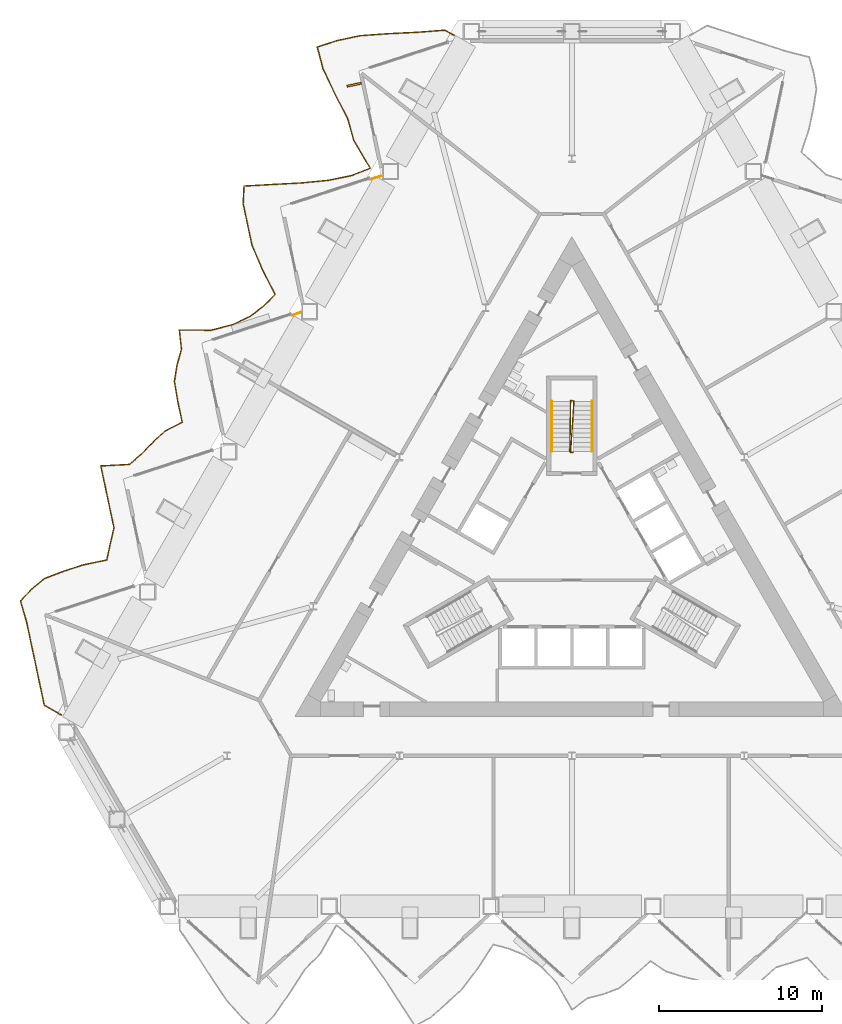
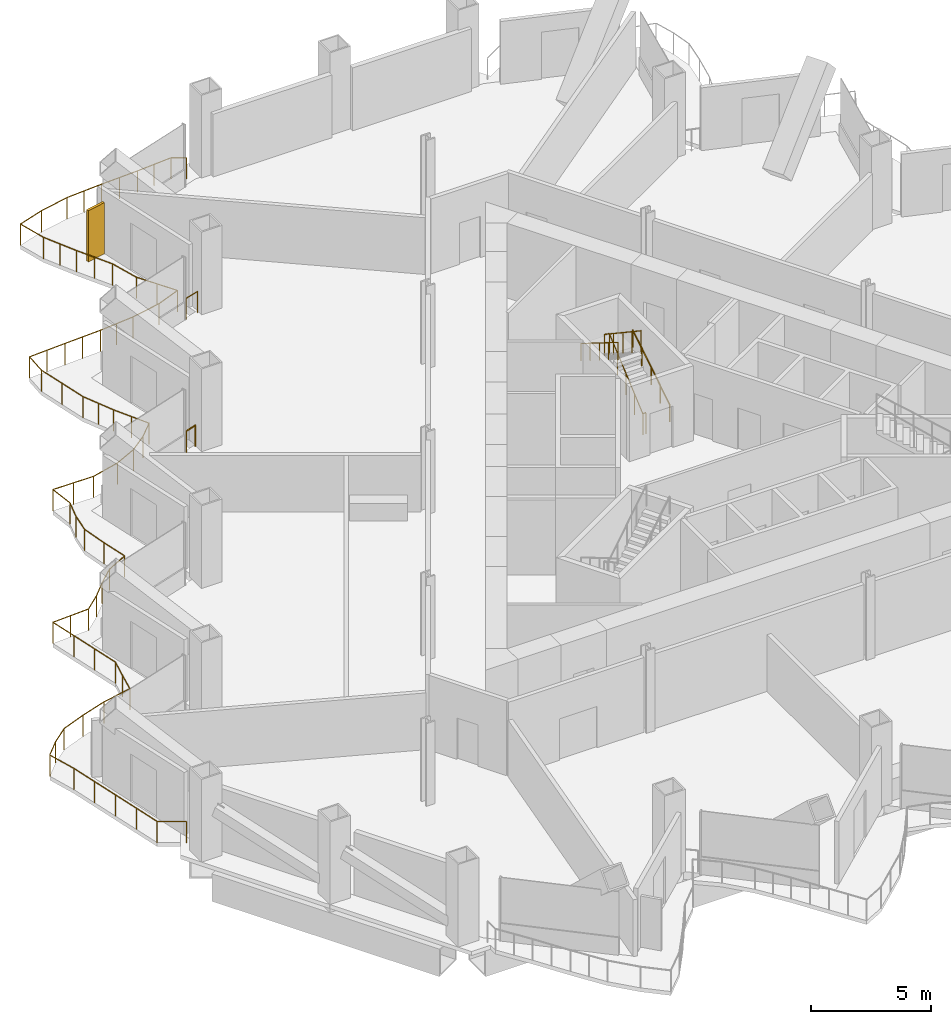
# One storey, part 19 of 22: 6 railings, 1 shading device.
"""IFC4 building model written with IfcOpenShell, lengths in metres."""

from ifc_helpers import new_model, si_unit, direction, frame, origin, origin_2d, place, context, subcontext, project, spatial, rectangle, circle, extrude, material, layer, layer_set, type_object, element, save


model = new_model("IFC4")

# Units and contexts
model_context = context("Model", 3, precision=1e-05, world=origin(), true_north=direction((0.0, 1.0)))
body_context = subcontext(model_context, "Body", "Model", "MODEL_VIEW")
ifc_project = project(units=[si_unit("LENGTHUNIT", "METRE"), si_unit("AREAUNIT", "SQUARE_METRE"), si_unit("VOLUMEUNIT", "CUBIC_METRE"), si_unit("PLANEANGLEUNIT", "RADIAN"), si_unit("MASSUNIT", "GRAM", prefix="KILO")], contexts=[model_context])

# Site, building, storey
site_placement = place(None, origin())
site = spatial("IfcSite", under=ifc_project, at=site_placement, CompositionType="ELEMENT")
building_placement = place(site_placement, origin())
building = spatial("IfcBuilding", under=site, at=building_placement, Name="Cormorant Prow Tower", CompositionType="ELEMENT")
storey_placement = place(building_placement, frame((0.0, 0.0, 30.0)))
storey = spatial("IfcBuildingStorey", under=building, at=storey_placement, Name="L05", CompositionType="ELEMENT", Elevation=30.0)

# Railings
ifc_material_1 = material(Name="Aluminium 6063-T6", Category="aluminium")
railing_type_1 = type_object("IfcRailingType", Name="Balcony guard 1100", PredefinedType="GUARDRAIL", material=ifc_material_1)
railing_1_placement = place(storey_placement, frame((-7.2412109375, 31.994873046875, 0.0)))
element("IfcRailing", 1, at=railing_1_placement, inside=storey, type_object=railing_type_1, Name="Balcony guard WNW", PredefinedType="GUARDRAIL", context=body_context, shape_type="SweptSolid", body=[
    extrude(circle(Radius=0.02392578125, at=origin_2d()), frame((0.0, 0.0, 1.076171875), z_axis=(-0.866038622153, 0.499977104415, 0.0), x_axis=(-0.499977104415, -0.866038622153, 0.0)), (0.0, 0.0, 1.0), 0.63623046875),
    extrude(circle(Radius=0.02392578125, at=origin_2d()), frame((-0.551025390625, 0.318115234375, 1.076171875), z_axis=(-0.997137955854, -0.075603551476, 0.0), x_axis=(0.075603551476, -0.997137955854, 0.0)), (0.0, 0.0, 1.0), 1.708251953125),
    extrude(circle(Radius=0.02392578125, at=origin_2d()), frame((-2.25439453125, 0.18896484375, 1.076171875), z_axis=(-0.998834064153, -0.048275379731, 0.0), x_axis=(0.048275379731, -0.998834064153, 0.0)), (0.0, 0.0, 1.0), 1.7802734375),
    extrude(circle(Radius=0.02392578125, at=origin_2d()), frame((-4.032470703125, 0.10302734375, 1.076171875), z_axis=(-0.997455815627, -0.071287417347, 0.0), x_axis=(0.071287417347, -0.997455815627, 0.0)), (0.0, 0.0, 1.0), 1.71923828125),
    extrude(circle(Radius=0.02392578125, at=origin_2d()), frame((-5.747314453125, -0.01953125, 1.076171875), z_axis=(-0.978400434543, -0.206718624429, 0.0), x_axis=(0.206718624429, -0.978400434543, 0.0)), (0.0, 0.0, 1.0), 1.442138671875),
    extrude(circle(Radius=0.02392578125, at=origin_2d()), frame((-7.158203125, -0.317626953125, 1.076171875), z_axis=(-0.951047907473, -0.309043488349, 0.0), x_axis=(0.309043488349, -0.951047907473, 0.0)), (0.0, 0.0, 1.0), 1.29638671875),
    extrude(circle(Radius=0.02392578125, at=origin_2d()), frame((-8.39111328125, -0.71826171875, 1.076171875), z_axis=(0.257159990866, -0.96636884216, 0.0), x_axis=(0.96636884216, 0.257159990866, 0.0)), (0.0, 0.0, 1.0), 1.3603515625),
    extrude(circle(Radius=0.02392578125, at=origin_2d()), frame((-8.041259765625, -2.032958984375, 1.076171875), z_axis=(0.424155213387, -0.905589506872, 0.0), x_axis=(0.905589506872, 0.424155213387, 0.0)), (0.0, 0.0, 1.0), 1.68359375),
    extrude(circle(Radius=0.02392578125, at=origin_2d()), frame((-7.3271484375, -3.5576171875, 1.076171875), z_axis=(0.456693053697, -0.889624333472, 0.0), x_axis=(0.889624333472, 0.456693053697, 0.0)), (0.0, 0.0, 1.0), 1.777587890625),
    extrude(circle(Radius=0.02392578125, at=origin_2d()), frame((-6.515380859375, -5.138916015625, 1.076171875), z_axis=(0.269616784072, -0.962967699223, 0.0), x_axis=(0.962967699223, 0.269616784072, 0.0)), (0.0, 0.0, 1.0), 1.378173828125),
    extrude(circle(Radius=0.02392578125, at=origin_2d()), frame((-6.143798828125, -6.466064453125, 1.076171875), z_axis=(0.510329465167, -0.859978974733, 0.0), x_axis=(0.859978974733, 0.510329465167, 0.0)), (0.0, 0.0, 1.0), 1.967529296875),
    extrude(circle(Radius=0.02392578125, at=origin_2d()), frame((-5.1396484375, -8.158203125, 1.076171875), z_axis=(-0.931726142955, -0.363161664462, 0.0), x_axis=(0.363161664462, -0.931726142955, 0.0)), (0.0, 0.0, 1.0), 1.23486328125),
    extrude(circle(Radius=0.02392578125, at=origin_2d()), frame((-6.290283203125, -8.606689453125, 1.076171875), z_axis=(-0.979843674417, -0.199765797133, 0.0), x_axis=(0.199765797133, -0.979843674417, 0.0)), (0.0, 0.0, 1.0), 1.453125),
    extrude(circle(Radius=0.02392578125, at=origin_2d()), frame((-7.714111328125, -8.89697265625, 1.076171875), z_axis=(-0.99527220185, -0.09712488983, 0.0), x_axis=(0.09712488983, -0.99527220185, 0.0)), (0.0, 0.0, 1.0), 1.656494140625),
    extrude(circle(Radius=0.02392578125, at=origin_2d()), frame((-9.36279296875, -9.057861328125, 1.076171875), z_axis=(-0.998654538049, -0.051856664315, 0.0), x_axis=(0.051856664315, -0.998654538049, 0.0)), (0.0, 0.0, 1.0), 1.770263671875),
    extrude(circle(Radius=0.02392578125, at=origin_2d()), frame((-11.130615234375, -9.149658203125, 1.076171875), z_axis=(-0.998331468628, -0.057743213865, 0.0), x_axis=(0.057743213865, -0.998331468628, 0.0)), (0.0, 0.0, 1.0), 1.754638671875),
    extrude(circle(Radius=0.02392578125, at=origin_2d()), frame((-12.88232421875, -9.2509765625, 1.076171875), z_axis=(-0.05261809748, -0.998614708392, 0.0), x_axis=(0.998614708392, -0.05261809748, 0.0)), (0.0, 0.0, 1.0), 1.0810546875),
    extrude(circle(Radius=0.02392578125, at=origin_2d()), frame((-12.939208984375, -10.33056640625, 1.076171875), z_axis=(0.20787001537, -0.978156458196, 0.0), x_axis=(0.978156458196, 0.20787001537, 0.0)), (0.0, 0.0, 1.0), 1.296630859375),
    extrude(circle(Radius=0.02392578125, at=origin_2d()), frame((-12.669677734375, -11.598876953125, 1.076171875), z_axis=(0.208050156932, -0.978118158609, 0.0), x_axis=(0.978118158609, 0.208050156932, 0.0)), (0.0, 0.0, 1.0), 1.296630859375),
    extrude(circle(Radius=0.02392578125, at=origin_2d()), frame((-12.39990234375, -12.8671875, 1.076171875), z_axis=(0.390714330931, -0.920511983412, 0.0), x_axis=(0.920511983412, 0.390714330931, 0.0)), (0.0, 0.0, 1.0), 1.600830078125),
    extrude(circle(Radius=0.02392578125, at=origin_2d()), frame((-11.7744140625, -14.3408203125, 1.076171875), z_axis=(0.450817608556, -0.892616089826, 0.0), x_axis=(0.892616089826, 0.450817608556, 0.0)), (0.0, 0.0, 1.0), 1.759521484375),
    extrude(circle(Radius=0.02392578125, at=origin_2d()), frame((-10.981201171875, -15.911376953125, 1.076171875), z_axis=(-0.704283053068, -0.709919277919, 0.0), x_axis=(0.709919277919, -0.704283053068, 0.0)), (0.0, 0.0, 1.0), 0.996337890625),
    extrude(circle(Radius=0.02392578125, at=origin_2d()), frame((-11.682861328125, -16.61865234375, 1.076171875), z_axis=(-0.794437483029, -0.607345935657, 0.0), x_axis=(0.607345935657, -0.794437483029, 0.0)), (0.0, 0.0, 1.0), 1.0439453125),
    extrude(circle(Radius=0.02392578125, at=origin_2d()), frame((-12.51220703125, -17.252685546875, 1.076171875), z_axis=(-0.903848140406, -0.427853408405, 0.0), x_axis=(0.427853408405, -0.903848140406, 0.0)), (0.0, 0.0, 1.0), 1.17138671875),
    extrude(circle(Radius=0.02392578125, at=origin_2d()), frame((-13.571044921875, -17.75390625, 1.076171875), z_axis=(-0.968439118805, -0.249250222004, 0.0), x_axis=(0.249250222004, -0.968439118805, 0.0)), (0.0, 0.0, 1.0), 1.376220703125),
    extrude(circle(Radius=0.02392578125, at=origin_2d()), frame((-14.90380859375, -18.096923828125, 1.076171875), z_axis=(-0.999969977608, 0.007748798727, 0.0), x_axis=(-0.007748798727, -0.999969977608, 0.0)), (0.0, 0.0, 1.0), 1.953369140625),
    extrude(circle(Radius=0.02392578125, at=origin_2d()), frame((-16.857177734375, -18.081787109375, 1.076171875), z_axis=(0.110991342038, -0.993821373282, 0.0), x_axis=(0.993821373282, 0.110991342038, 0.0)), (0.0, 0.0, 1.0), 1.196533203125),
    extrude(circle(Radius=0.02392578125, at=origin_2d()), frame((-16.724365234375, -19.27099609375, 1.076171875), z_axis=(-0.271897669737, -0.962326169857, 0.0), x_axis=(0.962326169857, -0.271897669737, 0.0)), (0.0, 0.0, 1.0), 0.993896484375),
    extrude(circle(Radius=0.02392578125, at=origin_2d()), frame((-16.99462890625, -20.2275390625, 1.076171875), z_axis=(-0.159671868834, -0.987170144556, 0.0), x_axis=(0.987170144556, -0.159671868834, 0.0)), (0.0, 0.0, 1.0), 1.030517578125),
    extrude(circle(Radius=0.02392578125, at=origin_2d()), frame((-17.1591796875, -21.244873046875, 1.076171875), z_axis=(0.168601333193, -0.985684325961, 0.0), x_axis=(0.985684325961, 0.168601333193, 0.0)), (0.0, 0.0, 1.0), 1.25244140625),
    extrude(circle(Radius=0.02392578125, at=origin_2d()), frame((-16.947998046875, -22.4794921875, 1.076171875), z_axis=(0.207908306761, -0.978148320031, 0.0), x_axis=(0.978148320031, 0.207908306761, 0.0)), (0.0, 0.0, 1.0), 1.29638671875),
    extrude(circle(Radius=0.02392578125, at=origin_2d()), frame((-16.678466796875, -23.74755859375, 1.076171875), z_axis=(-0.893067381261, -0.449922940654, 0.0), x_axis=(0.449922940654, -0.893067381261, 0.0)), (0.0, 0.0, 1.0), 1.152587890625),
    extrude(circle(Radius=0.02392578125, at=origin_2d()), frame((-17.707763671875, -24.26611328125, 1.076171875), z_axis=(-0.736220074978, -0.676742196999, 0.0), x_axis=(0.676742196999, -0.736220074978, 0.0)), (0.0, 0.0, 1.0), 1.009765625),
    extrude(circle(Radius=0.02392578125, at=origin_2d()), frame((-18.451171875, -24.949462890625, 1.076171875), z_axis=(-0.693698411975, -0.7202655852, 0.0), x_axis=(0.7202655852, -0.693698411975, 0.0)), (0.0, 0.0, 1.0), 0.992431640625),
    extrude(circle(Radius=0.02392578125, at=origin_2d()), frame((-19.1396484375, -25.664306640625, 1.076171875), z_axis=(-0.756683088923, -0.653781846596, 0.0), x_axis=(0.653781846596, -0.756683088923, 0.0)), (0.0, 0.0, 1.0), 1.020263671875),
    extrude(circle(Radius=0.02392578125, at=origin_2d()), frame((-19.91162109375, -26.331298828125, 1.076171875), z_axis=(-0.998559943322, -0.053647363335, 0.0), x_axis=(0.053647363335, -0.998559943322, 0.0)), (0.0, 0.0, 1.0), 1.765625),
    extrude(circle(Radius=0.02392578125, at=origin_2d()), frame((-21.6748046875, -26.426025390625, 1.076171875), z_axis=(0.208088478504, -0.978110006653, 0.0), x_axis=(0.978110006653, 0.208088478504, 0.0)), (0.0, 0.0, 1.0), 1.29638671875),
    extrude(circle(Radius=0.02392578125, at=origin_2d()), frame((-21.405029296875, -27.694091796875, 1.076171875), z_axis=(0.20787001537, -0.978156458196, 0.0), x_axis=(0.978156458196, 0.20787001537, 0.0)), (0.0, 0.0, 1.0), 1.296630859375),
    extrude(circle(Radius=0.02392578125, at=origin_2d()), frame((-21.135498046875, -28.96240234375, 1.076171875), z_axis=(0.207908306761, -0.978148320031, 0.0), x_axis=(0.978148320031, 0.207908306761, 0.0)), (0.0, 0.0, 1.0), 1.29638671875),
    extrude(circle(Radius=0.02392578125, at=origin_2d()), frame((-20.865966796875, -30.23046875, 1.076171875), z_axis=(-0.22693069724, -0.97391090899, 0.0), x_axis=(0.97391090899, -0.22693069724, 0.0)), (0.0, 0.0, 1.0), 1.007080078125),
    extrude(circle(Radius=0.02392578125, at=origin_2d()), frame((-21.094482421875, -31.211181640625, 1.076171875), z_axis=(-0.212379546317, -0.977187253451, 0.0), x_axis=(0.977187253451, -0.212379546317, 0.0)), (0.0, 0.0, 1.0), 1.01171875),
    extrude(circle(Radius=0.02392578125, at=origin_2d()), frame((-21.309326171875, -32.19970703125, 1.076171875), z_axis=(-0.979363993578, -0.202104349492, 0.0), x_axis=(0.202104349492, -0.979363993578, 0.0)), (0.0, 0.0, 1.0), 1.44970703125),
    extrude(circle(Radius=0.02392578125, at=origin_2d()), frame((-22.72900390625, -32.49267578125, 1.076171875), z_axis=(-0.951065889289, -0.308988145778, 0.0), x_axis=(0.308988145778, -0.951065889289, 0.0)), (0.0, 0.0, 1.0), 1.296630859375),
    extrude(circle(Radius=0.02392578125, at=origin_2d()), frame((-23.962158203125, -32.893310546875, 1.076171875), z_axis=(-0.934335057873, -0.356395846818, 0.0), x_axis=(0.356395846818, -0.934335057873, 0.0)), (0.0, 0.0, 1.0), 1.241943359375),
    extrude(circle(Radius=0.02392578125, at=origin_2d()), frame((-25.12255859375, -33.3359375, 1.076171875), z_axis=(-0.770474769236, -0.637470493412, 0.0), x_axis=(0.637470493412, -0.770474769236, 0.0)), (0.0, 0.0, 1.0), 1.02783203125),
    extrude(circle(Radius=0.02392578125, at=origin_2d()), frame((-25.91455078125, -33.9912109375, 1.076171875), z_axis=(-0.696211079774, -0.71783712108, 0.0), x_axis=(0.71783712108, -0.696211079774, 0.0)), (0.0, 0.0, 1.0), 0.993408203125),
    extrude(circle(Radius=0.02392578125, at=origin_2d()), frame((-26.606201171875, -34.704345703125, 1.076171875), z_axis=(0.276323671022, -0.961064633015, 0.0), x_axis=(0.961064633015, 0.276323671022, 0.0)), (0.0, 0.0, 1.0), 1.387939453125),
    extrude(circle(Radius=0.02392578125, at=origin_2d()), frame((-26.22265625, -36.038330078125, 1.076171875), z_axis=(0.20787001537, -0.978156458196, 0.0), x_axis=(0.978156458196, 0.20787001537, 0.0)), (0.0, 0.0, 1.0), 1.296630859375),
    extrude(circle(Radius=0.02392578125, at=origin_2d()), frame((-25.953125, -37.306640625, 1.076171875), z_axis=(0.207908306761, -0.978148320031, 0.0), x_axis=(0.978148320031, 0.207908306761, 0.0)), (0.0, 0.0, 1.0), 1.29638671875),
    extrude(circle(Radius=0.02392578125, at=origin_2d()), frame((-25.68359375, -38.57470703125, 1.076171875), z_axis=(0.20787001537, -0.978156458196, 0.0), x_axis=(0.978156458196, 0.20787001537, 0.0)), (0.0, 0.0, 1.0), 1.296630859375),
    extrude(circle(Radius=0.02392578125, at=origin_2d()), frame((-25.4140625, -39.843017578125, 1.076171875), z_axis=(0.208088478504, -0.978110006653, 0.0), x_axis=(0.978110006653, 0.208088478504, 0.0)), (0.0, 0.0, 1.0), 1.29638671875),
    extrude(circle(Radius=0.02392578125, at=origin_2d()), frame((-25.144287109375, -41.111083984375, 1.076171875), z_axis=(0.865955602162, -0.500120880472, 0.0), x_axis=(0.500120880472, 0.865955602162, 0.0)), (0.0, 0.0, 1.0), 1.219970703125),
    extrude(circle(Radius=0.02099609375, at=origin_2d()), origin(), (0.0, 0.0, 1.0), 1.052001953125),
    extrude(circle(Radius=0.02099609375, at=origin_2d()), frame((-0.551025390625, 0.318115234375, 0.0)), (0.0, 0.0, 1.0), 1.052001953125),
    extrude(circle(Radius=0.02099609375, at=origin_2d()), frame((-1.40283203125, 0.25341796875, 0.0)), (0.0, 0.0, 1.0), 1.052001953125),
    extrude(circle(Radius=0.02099609375, at=origin_2d()), frame((-2.25439453125, 0.18896484375, 0.0)), (0.0, 0.0, 1.0), 1.052001953125),
    extrude(circle(Radius=0.02099609375, at=origin_2d()), frame((-3.1435546875, 0.14599609375, 0.0)), (0.0, 0.0, 1.0), 1.052001953125),
    extrude(circle(Radius=0.02099609375, at=origin_2d()), frame((-4.032470703125, 0.10302734375, 0.0)), (0.0, 0.0, 1.0), 1.052001953125),
    extrude(circle(Radius=0.02099609375, at=origin_2d()), frame((-4.889892578125, 0.041748046875, 0.0)), (0.0, 0.0, 1.0), 1.052001953125),
    extrude(circle(Radius=0.02099609375, at=origin_2d()), frame((-5.747314453125, -0.01953125, 0.0)), (0.0, 0.0, 1.0), 1.052001953125),
    extrude(circle(Radius=0.02099609375, at=origin_2d()), frame((-7.158203125, -0.317626953125, 0.0)), (0.0, 0.0, 1.0), 1.052001953125),
    extrude(circle(Radius=0.02099609375, at=origin_2d()), frame((-8.39111328125, -0.71826171875, 0.0)), (0.0, 0.0, 1.0), 1.052001953125),
    extrude(circle(Radius=0.02099609375, at=origin_2d()), frame((-8.041259765625, -2.032958984375, 0.0)), (0.0, 0.0, 1.0), 1.052001953125),
    extrude(circle(Radius=0.02099609375, at=origin_2d()), frame((-7.68408203125, -2.79541015625, 0.0)), (0.0, 0.0, 1.0), 1.052001953125),
    extrude(circle(Radius=0.02099609375, at=origin_2d()), frame((-7.3271484375, -3.5576171875, 0.0)), (0.0, 0.0, 1.0), 1.052001953125),
    extrude(circle(Radius=0.02099609375, at=origin_2d()), frame((-6.92138671875, -4.34814453125, 0.0)), (0.0, 0.0, 1.0), 1.052001953125),
    extrude(circle(Radius=0.02099609375, at=origin_2d()), frame((-6.515380859375, -5.138916015625, 0.0)), (0.0, 0.0, 1.0), 1.052001953125),
    extrude(circle(Radius=0.02099609375, at=origin_2d()), frame((-6.143798828125, -6.466064453125, 0.0)), (0.0, 0.0, 1.0), 1.052001953125),
    extrude(circle(Radius=0.02099609375, at=origin_2d()), frame((-5.6416015625, -7.31201171875, 0.0)), (0.0, 0.0, 1.0), 1.052001953125),
    extrude(circle(Radius=0.02099609375, at=origin_2d()), frame((-5.1396484375, -8.158203125, 0.0)), (0.0, 0.0, 1.0), 1.052001953125),
    extrude(circle(Radius=0.02099609375, at=origin_2d()), frame((-6.290283203125, -8.606689453125, 0.0)), (0.0, 0.0, 1.0), 1.052001953125),
    extrude(circle(Radius=0.02099609375, at=origin_2d()), frame((-7.714111328125, -8.89697265625, 0.0)), (0.0, 0.0, 1.0), 1.052001953125),
    extrude(circle(Radius=0.02099609375, at=origin_2d()), frame((-8.53857421875, -8.9775390625, 0.0)), (0.0, 0.0, 1.0), 1.052001953125),
    extrude(circle(Radius=0.02099609375, at=origin_2d()), frame((-9.36279296875, -9.057861328125, 0.0)), (0.0, 0.0, 1.0), 1.052001953125),
    extrude(circle(Radius=0.02099609375, at=origin_2d()), frame((-10.24658203125, -9.103759765625, 0.0)), (0.0, 0.0, 1.0), 1.052001953125),
    extrude(circle(Radius=0.02099609375, at=origin_2d()), frame((-11.130615234375, -9.149658203125, 0.0)), (0.0, 0.0, 1.0), 1.052001953125),
    extrude(circle(Radius=0.02099609375, at=origin_2d()), frame((-12.00634765625, -9.2001953125, 0.0)), (0.0, 0.0, 1.0), 1.052001953125),
    extrude(circle(Radius=0.02099609375, at=origin_2d()), frame((-12.88232421875, -9.2509765625, 0.0)), (0.0, 0.0, 1.0), 1.052001953125),
    extrude(circle(Radius=0.02099609375, at=origin_2d()), frame((-12.939208984375, -10.33056640625, 0.0)), (0.0, 0.0, 1.0), 1.052001953125),
    extrude(circle(Radius=0.02099609375, at=origin_2d()), frame((-12.669677734375, -11.598876953125, 0.0)), (0.0, 0.0, 1.0), 1.052001953125),
    extrude(circle(Radius=0.02099609375, at=origin_2d()), frame((-12.39990234375, -12.8671875, 0.0)), (0.0, 0.0, 1.0), 1.052001953125),
    extrude(circle(Radius=0.02099609375, at=origin_2d()), frame((-12.087158203125, -13.60400390625, 0.0)), (0.0, 0.0, 1.0), 1.052001953125),
    extrude(circle(Radius=0.02099609375, at=origin_2d()), frame((-11.7744140625, -14.3408203125, 0.0)), (0.0, 0.0, 1.0), 1.052001953125),
    extrude(circle(Radius=0.02099609375, at=origin_2d()), frame((-11.3779296875, -15.1259765625, 0.0)), (0.0, 0.0, 1.0), 1.052001953125),
    extrude(circle(Radius=0.02099609375, at=origin_2d()), frame((-10.981201171875, -15.911376953125, 0.0)), (0.0, 0.0, 1.0), 1.052001953125),
    extrude(circle(Radius=0.02099609375, at=origin_2d()), frame((-11.682861328125, -16.61865234375, 0.0)), (0.0, 0.0, 1.0), 1.052001953125),
    extrude(circle(Radius=0.02099609375, at=origin_2d()), frame((-12.51220703125, -17.252685546875, 0.0)), (0.0, 0.0, 1.0), 1.052001953125),
    extrude(circle(Radius=0.02099609375, at=origin_2d()), frame((-13.571044921875, -17.75390625, 0.0)), (0.0, 0.0, 1.0), 1.052001953125),
    extrude(circle(Radius=0.02099609375, at=origin_2d()), frame((-14.90380859375, -18.096923828125, 0.0)), (0.0, 0.0, 1.0), 1.052001953125),
    extrude(circle(Radius=0.02099609375, at=origin_2d()), frame((-15.88037109375, -18.08935546875, 0.0)), (0.0, 0.0, 1.0), 1.052001953125),
    extrude(circle(Radius=0.02099609375, at=origin_2d()), frame((-16.857177734375, -18.081787109375, 0.0)), (0.0, 0.0, 1.0), 1.052001953125),
    extrude(circle(Radius=0.02099609375, at=origin_2d()), frame((-16.724365234375, -19.27099609375, 0.0)), (0.0, 0.0, 1.0), 1.052001953125),
    extrude(circle(Radius=0.02099609375, at=origin_2d()), frame((-16.99462890625, -20.2275390625, 0.0)), (0.0, 0.0, 1.0), 1.052001953125),
    extrude(circle(Radius=0.02099609375, at=origin_2d()), frame((-17.1591796875, -21.244873046875, 0.0)), (0.0, 0.0, 1.0), 1.052001953125),
    extrude(circle(Radius=0.02099609375, at=origin_2d()), frame((-16.947998046875, -22.4794921875, 0.0)), (0.0, 0.0, 1.0), 1.052001953125),
    extrude(circle(Radius=0.02099609375, at=origin_2d()), frame((-16.678466796875, -23.74755859375, 0.0)), (0.0, 0.0, 1.0), 1.052001953125),
    extrude(circle(Radius=0.02099609375, at=origin_2d()), frame((-17.707763671875, -24.26611328125, 0.0)), (0.0, 0.0, 1.0), 1.052001953125),
    extrude(circle(Radius=0.02099609375, at=origin_2d()), frame((-18.451171875, -24.949462890625, 0.0)), (0.0, 0.0, 1.0), 1.052001953125),
    extrude(circle(Radius=0.02099609375, at=origin_2d()), frame((-19.1396484375, -25.664306640625, 0.0)), (0.0, 0.0, 1.0), 1.052001953125),
    extrude(circle(Radius=0.02099609375, at=origin_2d()), frame((-19.91162109375, -26.331298828125, 0.0)), (0.0, 0.0, 1.0), 1.052001953125),
    extrude(circle(Radius=0.02099609375, at=origin_2d()), frame((-20.793212890625, -26.378662109375, 0.0)), (0.0, 0.0, 1.0), 1.052001953125),
    extrude(circle(Radius=0.02099609375, at=origin_2d()), frame((-21.6748046875, -26.426025390625, 0.0)), (0.0, 0.0, 1.0), 1.052001953125),
    extrude(circle(Radius=0.02099609375, at=origin_2d()), frame((-21.405029296875, -27.694091796875, 0.0)), (0.0, 0.0, 1.0), 1.052001953125),
    extrude(circle(Radius=0.02099609375, at=origin_2d()), frame((-21.135498046875, -28.96240234375, 0.0)), (0.0, 0.0, 1.0), 1.052001953125),
    extrude(circle(Radius=0.02099609375, at=origin_2d()), frame((-20.865966796875, -30.23046875, 0.0)), (0.0, 0.0, 1.0), 1.052001953125),
    extrude(circle(Radius=0.02099609375, at=origin_2d()), frame((-21.094482421875, -31.211181640625, 0.0)), (0.0, 0.0, 1.0), 1.052001953125),
    extrude(circle(Radius=0.02099609375, at=origin_2d()), frame((-21.309326171875, -32.19970703125, 0.0)), (0.0, 0.0, 1.0), 1.052001953125),
    extrude(circle(Radius=0.02099609375, at=origin_2d()), frame((-22.72900390625, -32.49267578125, 0.0)), (0.0, 0.0, 1.0), 1.052001953125),
    extrude(circle(Radius=0.02099609375, at=origin_2d()), frame((-23.962158203125, -32.893310546875, 0.0)), (0.0, 0.0, 1.0), 1.052001953125),
    extrude(circle(Radius=0.02099609375, at=origin_2d()), frame((-25.12255859375, -33.3359375, 0.0)), (0.0, 0.0, 1.0), 1.052001953125),
    extrude(circle(Radius=0.02099609375, at=origin_2d()), frame((-25.91455078125, -33.9912109375, 0.0)), (0.0, 0.0, 1.0), 1.052001953125),
    extrude(circle(Radius=0.02099609375, at=origin_2d()), frame((-26.606201171875, -34.704345703125, 0.0)), (0.0, 0.0, 1.0), 1.052001953125),
    extrude(circle(Radius=0.02099609375, at=origin_2d()), frame((-26.22265625, -36.038330078125, 0.0)), (0.0, 0.0, 1.0), 1.052001953125),
    extrude(circle(Radius=0.02099609375, at=origin_2d()), frame((-25.953125, -37.306640625, 0.0)), (0.0, 0.0, 1.0), 1.052001953125),
    extrude(circle(Radius=0.02099609375, at=origin_2d()), frame((-25.68359375, -38.57470703125, 0.0)), (0.0, 0.0, 1.0), 1.052001953125),
    extrude(circle(Radius=0.02099609375, at=origin_2d()), frame((-25.4140625, -39.843017578125, 0.0)), (0.0, 0.0, 1.0), 1.052001953125),
    extrude(circle(Radius=0.02099609375, at=origin_2d()), frame((-25.144287109375, -41.111083984375, 0.0)), (0.0, 0.0, 1.0), 1.052001953125),
    extrude(circle(Radius=0.02099609375, at=origin_2d()), frame((-24.087890625, -41.72119140625, 0.0)), (0.0, 0.0, 1.0), 1.052001953125),
])
ifc_material_2 = material(Name="Stainless steel", Category="steel")
railing_type_2 = type_object("IfcRailingType", Name="Facade corner guard 1100", PredefinedType="GUARDRAIL", material=ifc_material_2)
railing_2_placement = place(storey_placement, frame((-17.165771484375, 14.809326171875, 0.0)))
element("IfcRailing", 2, at=railing_2_placement, inside=storey, type_object=railing_type_2, Name="Facade corner guard L05 1", PredefinedType="GUARDRAIL", context=body_context, shape_type="SweptSolid", body=[
    extrude(circle(Radius=0.02392578125, at=origin_2d()), frame((0.0, 0.0, 1.076171875), z_axis=(0.948768431367, 0.31597225138, 0.0), x_axis=(-0.31597225138, 0.948768431367, 0.0)), (0.0, 0.0, 1.0), 0.5732421875),
    extrude(circle(Radius=0.02099609375, at=origin_2d()), origin(), (0.0, 0.0, 1.0), 1.052001953125),
    extrude(circle(Radius=0.02099609375, at=origin_2d()), frame((0.5439453125, 0.18115234375, 0.0)), (0.0, 0.0, 1.0), 1.052001953125),
])
railing_3_placement = place(storey_placement, frame((-12.351318359375, 23.1630859375, 0.0)))
element("IfcRailing", 3, at=railing_3_placement, inside=storey, type_object=railing_type_2, Name="Facade corner guard L05 3", PredefinedType="GUARDRAIL", context=body_context, shape_type="SweptSolid", body=[
    extrude(circle(Radius=0.02392578125, at=origin_2d()), frame((0.0, 0.0, 1.076171875), z_axis=(0.960074939511, 0.279742936503, 0.0), x_axis=(-0.279742936503, 0.960074939511, 0.0)), (0.0, 0.0, 1.0), 0.69287109375),
    extrude(circle(Radius=0.02099609375, at=origin_2d()), origin(), (0.0, 0.0, 1.0), 1.052001953125),
    extrude(circle(Radius=0.02099609375, at=origin_2d()), frame((0.665283203125, 0.19384765625, 0.0)), (0.0, 0.0, 1.0), 1.052001953125),
])
ifc_material_3 = material(Name="Stainless steel", Category="steel")
railing_type_3 = type_object("IfcRailingType", Name="Stair guard 1100", PredefinedType="GUARDRAIL", material=ifc_material_3)
railing_4_placement = place(storey_placement, frame((0.074951171875, 6.40576171875, 0.0)))
element("IfcRailing", 4, at=railing_4_placement, inside=storey, type_object=railing_type_3, Name="L05 ST3 stair guard 1", PredefinedType="GUARDRAIL", context=body_context, shape_type="SweptSolid", body=[
    extrude(circle(Radius=0.02392578125, at=origin_2d()), frame((0.0, 0.0, 1.076171875), z_axis=(-1.0, 0.0, 0.0), x_axis=(0.0, -1.0, 0.0)), (0.0, 0.0, 1.0), 0.14990234375),
    extrude(circle(Radius=0.02392578125, at=origin_2d()), frame((-0.14990234375, 0.0, 1.076171875), z_axis=(0.052971918151, 0.829246596605, 0.556366837532), x_axis=(-0.997965923181, 0.063749636618, 0.0)), (0.0, 0.0, 1.0), 3.774658203125),
    extrude(circle(Radius=0.02392578125, at=origin_2d()), frame((0.050048828125, 3.130126953125, 3.17626953125), z_axis=(-0.970072785993, 0.242814311512, 0.0), x_axis=(-0.242814311512, -0.970072785993, 0.0)), (0.0, 0.0, 1.0), 0.2060546875),
    extrude(circle(Radius=0.02392578125, at=origin_2d()), frame((-0.14990234375, 3.18017578125, 3.17626953125), z_axis=(-0.013277099958, -0.830369261271, 0.557055301162), x_axis=(0.999872194171, -0.015987348866, 0.0)), (0.0, 0.0, 1.0), 3.76953125),
    extrude(circle(Radius=0.02099609375, at=origin_2d()), origin(), (0.0, 0.0, 1.0), 1.052001953125),
    extrude(circle(Radius=0.02099609375, at=origin_2d()), frame((-0.14990234375, 0.0, 0.0)), (0.0, 0.0, 1.0), 1.052001953125),
    extrude(circle(Radius=0.02099609375, at=origin_2d()), frame((-0.099853515625, 0.782470703125, 0.52490234375)), (0.0, 0.0, 1.0), 1.052001953125),
    extrude(circle(Radius=0.02099609375, at=origin_2d()), frame((-0.0498046875, 1.56494140625, 1.050048828125)), (0.0, 0.0, 1.0), 1.052001953125),
    extrude(circle(Radius=0.02099609375, at=origin_2d()), frame((0.0, 2.34765625, 1.5751953125)), (0.0, 0.0, 1.0), 1.052001953125),
    extrude(circle(Radius=0.02099609375, at=origin_2d()), frame((0.050048828125, 3.130126953125, 2.10009765625)), (0.0, 0.0, 1.0), 1.052001953125),
    extrude(circle(Radius=0.02099609375, at=origin_2d()), frame((-0.14990234375, 3.18017578125, 2.10009765625)), (0.0, 0.0, 1.0), 1.052001953125),
    extrude(circle(Radius=0.02099609375, at=origin_2d()), frame((-0.162353515625, 2.397705078125, 2.625)), (0.0, 0.0, 1.0), 1.052001953125),
    extrude(circle(Radius=0.02099609375, at=origin_2d()), frame((-0.1748046875, 1.615234375, 3.14990234375)), (0.0, 0.0, 1.0), 1.052001953125),
    extrude(circle(Radius=0.02099609375, at=origin_2d()), frame((-0.1875, 0.83251953125, 3.675048828125)), (0.0, 0.0, 1.0), 1.052001953125),
    extrude(circle(Radius=0.02099609375, at=origin_2d()), frame((-0.199951171875, 0.050048828125, 4.199951171875)), (0.0, 0.0, 1.0), 1.052001953125),
])
ifc_material_4 = material(Name="Stainless steel", Category="steel")
railing_type_4 = type_object("IfcRailingType", Name="Stair handrail 900", PredefinedType="HANDRAIL", material=ifc_material_4)
railing_5_placement = place(storey_placement, frame((1.243896484375, 6.455810546875, 0.175048828125)))
element("IfcRailing", 5, at=railing_5_placement, inside=storey, type_object=railing_type_4, Name="L05 ST3 stair handrail 1", PredefinedType="HANDRAIL", context=body_context, shape_type="SweptSolid", body=[
    extrude(circle(Radius=0.02392578125, at=origin_2d()), frame((0.0, 0.0, 0.8759765625), z_axis=(0.0, 0.847998304005, 0.529998940003), x_axis=(-1.0, 0.0, 0.0)), (0.0, 0.0, 1.0), 3.632080078125),
    extrude(circle(Radius=0.02099609375, at=origin_2d()), origin(), (0.0, 0.0, 1.0), 0.851806640625),
    extrude(circle(Radius=0.02099609375, at=origin_2d()), frame((0.0, 0.77001953125, 0.481201171875)), (0.0, 0.0, 1.0), 0.851806640625),
    extrude(circle(Radius=0.02099609375, at=origin_2d()), frame((0.0, 1.5400390625, 0.96240234375)), (0.0, 0.0, 1.0), 0.851806640625),
    extrude(circle(Radius=0.02099609375, at=origin_2d()), frame((0.0, 2.31005859375, 1.44384765625)), (0.0, 0.0, 1.0), 0.851806640625),
    extrude(circle(Radius=0.02099609375, at=origin_2d()), frame((0.0, 3.080078125, 1.925048828125)), (0.0, 0.0, 1.0), 0.851806640625),
])
railing_6_placement = place(storey_placement, frame((-1.243896484375, 9.535888671875, 2.27490234375)))
element("IfcRailing", 6, at=railing_6_placement, inside=storey, type_object=railing_type_4, Name="L05 ST3 stair handrail 2", PredefinedType="HANDRAIL", context=body_context, shape_type="SweptSolid", body=[
    extrude(circle(Radius=0.02392578125, at=origin_2d()), frame((0.0, 0.0, 0.8759765625), z_axis=(0.0, -0.847998304005, 0.529998940003), x_axis=(1.0, 0.0, 0.0)), (0.0, 0.0, 1.0), 3.632080078125),
    extrude(circle(Radius=0.02099609375, at=origin_2d()), origin(), (0.0, 0.0, 1.0), 0.851806640625),
    extrude(circle(Radius=0.02099609375, at=origin_2d()), frame((0.0, -0.77001953125, 0.481201171875)), (0.0, 0.0, 1.0), 0.851806640625),
    extrude(circle(Radius=0.02099609375, at=origin_2d()), frame((0.0, -1.5400390625, 0.96240234375)), (0.0, 0.0, 1.0), 0.851806640625),
    extrude(circle(Radius=0.02099609375, at=origin_2d()), frame((0.0, -2.31005859375, 1.44384765625)), (0.0, 0.0, 1.0), 0.851806640625),
    extrude(circle(Radius=0.02099609375, at=origin_2d()), frame((0.0, -3.080078125, 1.925048828125)), (0.0, 0.0, 1.0), 0.851806640625),
])

# Shading device
ifc_material_5 = material(Name="Terracotta", Category="masonry")
ifc_layer = layer(ifc_material_5, 0.1201171875)
ifc_layer_set = layer_set([ifc_layer], Name="Terracotta")
shading_device_type = type_object("IfcShadingDeviceType", Name="Terracotta baguette fin 120x900x2600", PredefinedType="USERDEFINED", material=ifc_layer_set)
shading_device_placement = place(storey_placement, frame((-13.359130859375, 28.9619140625, 0.0), z_axis=(0.0, 0.0, 1.0), x_axis=(0.207911761683, -0.978147585671, 0.0)))
element("IfcShadingDevice", 7, at=shading_device_placement, inside=storey, type_object=shading_device_type, Name="Baguette fin WNW01", ObjectType="BAGUETTE", PredefinedType="USERDEFINED", context=body_context, shape_type="SweptSolid", body=[
    extrude(rectangle(XDim=0.1201171875, YDim=0.89990234375, at=origin_2d()), origin(), (0.0, 0.0, 1.0), 2.60009765625),
])

save(model, "model.ifc")
